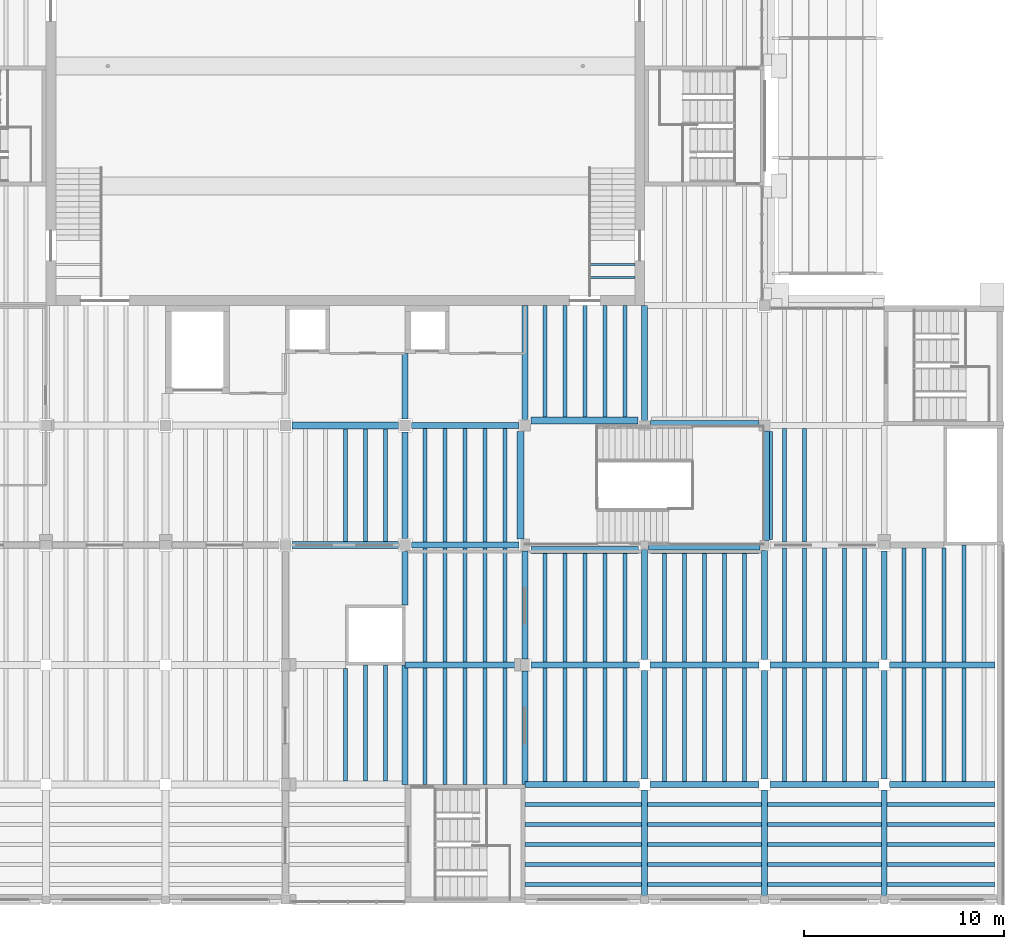
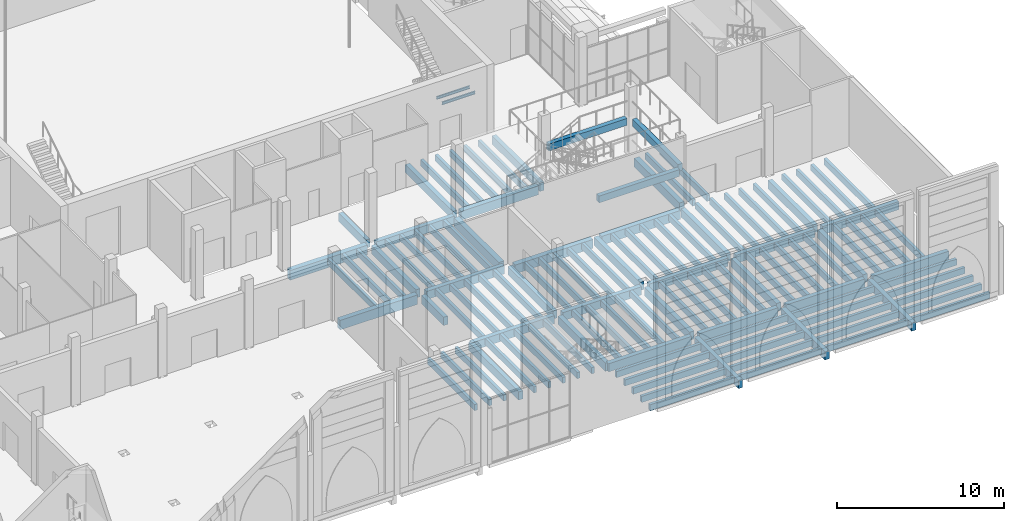
# One storey, part 5 of 80: 126 beams.
"""IFC4 building model written with IfcOpenShell, lengths in metres."""

from ifc_helpers import new_model, si_unit, direction, frame, origin, origin_2d, place, context, subcontext, project, spatial, rectangle, i_section, extrude, material, material_profile, profile_set, type_object, element, save


model = new_model("IFC4")

# Units and contexts
model_context = context("Model", 3, precision=1e-05, world=origin(), true_north=direction((0.0, 1.0)))
body_context = subcontext(model_context, "Body", "Model", "MODEL_VIEW")
ifc_project = project(units=[si_unit("LENGTHUNIT", "METRE"), si_unit("AREAUNIT", "SQUARE_METRE"), si_unit("VOLUMEUNIT", "CUBIC_METRE"), si_unit("PLANEANGLEUNIT", "RADIAN"), si_unit("MASSUNIT", "GRAM", prefix="KILO")], contexts=[model_context])

# Site, building, storey
site_placement = place(None, origin())
site = spatial("IfcSite", under=ifc_project, at=site_placement, CompositionType="ELEMENT")
building_placement = place(site_placement, origin())
building = spatial("IfcBuilding", under=site, at=building_placement, Name="Saffron Lane Theatres", CompositionType="ELEMENT")
storey_placement = place(building_placement, frame((0.0, 0.0, 7.0)))
storey = spatial("IfcBuildingStorey", under=building, at=storey_placement, Name="L01", CompositionType="ELEMENT", Elevation=7.0)

# Beams
ifc_material_1 = material(Name="Concrete N40 (40 MPa)", Category="concrete")
ifc_material_profile_1 = material_profile(ifc_material_1, rectangle(XDim=0.300048828125, YDim=0.60009765625, at=origin_2d()))
ifc_profile_set_1 = profile_set([ifc_material_profile_1], Name="Concrete N40 (40 MPa)")
beam_type_1 = type_object("IfcBeamType", Name="RC-BEAM 300x600", PredefinedType="BEAM", material=ifc_profile_set_1)
beam_1_placement = place(storey_placement, frame((42.0, 6.0, -0.550048828125), z_axis=(1.0, 0.0, 0.0), x_axis=(0.0, 1.0, 0.0)))
element("IfcBeam", 1, at=beam_1_placement, inside=storey, type_object=beam_type_1, Name="beam-L01-x60-420", PredefinedType="BEAM", context=body_context, shape_type="SweptSolid", body=[
    extrude(rectangle(XDim=0.300048828125, YDim=0.60009765625, at=origin_2d()), origin(), (0.0, 0.0, 1.0), 5.72509765625),
])
for number, where, z_axis, x_axis, name in (
    (2, (48.27490234375, 6.0, -0.550048828125), (1.0, 0.0, 0.0), (0.0, 1.0, 0.0), "beam-L01-x60-483"),
    (3, (54.27490234375, 6.0, -0.550048828125), (1.0, 0.0, 0.0), (0.0, 1.0, 0.0), "beam-L01-x60-543"),
):
    element("IfcBeam", number, at=place(storey_placement, frame(where, z_axis=z_axis, x_axis=x_axis)), inside=storey, type_object=beam_type_1, Name=name, PredefinedType="BEAM", context=body_context, shape_type="SweptSolid", body=[
        extrude(rectangle(XDim=0.300048828125, YDim=0.60009765625, at=origin_2d()), origin(), (0.0, 0.0, 1.0), 5.4501953125),
    ])
beam_2_placement = place(storey_placement, frame((60.27490234375, 6.0, -0.550048828125), z_axis=(1.0, 0.0, 0.0), x_axis=(0.0, 1.0, 0.0)))
element("IfcBeam", 4, at=beam_2_placement, inside=storey, type_object=beam_type_1, Name="beam-L01-x60-603", PredefinedType="BEAM", context=body_context, shape_type="SweptSolid", body=[
    extrude(rectangle(XDim=0.300048828125, YDim=0.60009765625, at=origin_2d()), origin(), (0.0, 0.0, 1.0), 5.26513671875),
])
beam_3_placement = place(storey_placement, frame((36.0, 12.0, -0.550048828125), z_axis=(1.0, 0.0, 0.0), x_axis=(0.0, 1.0, 0.0)))
element("IfcBeam", 5, at=beam_3_placement, inside=storey, type_object=beam_type_1, Name="beam-L01-x120-360", PredefinedType="BEAM", context=body_context, shape_type="SweptSolid", body=[
    extrude(rectangle(XDim=0.300048828125, YDim=0.60009765625, at=origin_2d()), origin(), (0.0, 0.0, 1.0), 5.699951171875),
])
beam_4_placement = place(storey_placement, frame((42.300048828125, 12.0, -0.550048828125), z_axis=(1.0, 0.0, 0.0), x_axis=(0.0, 1.0, 0.0)))
element("IfcBeam", 6, at=beam_4_placement, inside=storey, type_object=beam_type_1, Name="beam-L01-x120-423", PredefinedType="BEAM", context=body_context, shape_type="SweptSolid", body=[
    extrude(rectangle(XDim=0.300048828125, YDim=0.60009765625, at=origin_2d()), origin(), (0.0, 0.0, 1.0), 5.425048828125),
])
for number, where, z_axis, x_axis, name in (
    (7, (48.27490234375, 12.0, -0.550048828125), (1.0, 0.0, 0.0), (0.0, 1.0, 0.0), "beam-L01-x120-483"),
    (8, (54.27490234375, 12.0, -0.550048828125), (1.0, 0.0, 0.0), (0.0, 1.0, 0.0), "beam-L01-x120-543"),
):
    element("IfcBeam", number, at=place(storey_placement, frame(where, z_axis=z_axis, x_axis=x_axis)), inside=storey, type_object=beam_type_1, Name=name, PredefinedType="BEAM", context=body_context, shape_type="SweptSolid", body=[
        extrude(rectangle(XDim=0.300048828125, YDim=0.60009765625, at=origin_2d()), origin(), (0.0, 0.0, 1.0), 5.4501953125),
    ])
beam_5_placement = place(storey_placement, frame((60.27490234375, 12.0, -0.550048828125), z_axis=(1.0, 0.0, 0.0), x_axis=(0.0, 1.0, 0.0)))
element("IfcBeam", 9, at=beam_5_placement, inside=storey, type_object=beam_type_1, Name="beam-L01-x120-603", PredefinedType="BEAM", context=body_context, shape_type="SweptSolid", body=[
    extrude(rectangle(XDim=0.300048828125, YDim=0.60009765625, at=origin_2d()), origin(), (0.0, 0.0, 1.0), 5.26513671875),
])
for number, where, z_axis, x_axis, name in (
    (10, (36.324951171875, 18.0, -0.550048828125), (1.0, 0.0, 0.0), (0.0, 1.0, 0.0), "beam-L01-x180-363"),
    (11, (36.324951171875, 24.0, -0.550048828125), (1.0, 0.0, 0.0), (0.0, 1.0, 0.0), "beam-L01-x240-363"),
):
    element("IfcBeam", number, at=place(storey_placement, frame(where, z_axis=z_axis, x_axis=x_axis)), inside=storey, type_object=beam_type_1, Name=name, PredefinedType="BEAM", context=body_context, shape_type="SweptSolid", body=[
        extrude(rectangle(XDim=0.300048828125, YDim=0.60009765625, at=origin_2d()), origin(), (0.0, 0.0, 1.0), 5.375),
    ])
beam_6_placement = place(storey_placement, frame((36.0, 6.0, -0.550048828125), z_axis=(0.0, 1.0, 0.0), x_axis=(-1.0, 0.0, 0.0)))
element("IfcBeam", 12, at=beam_6_placement, inside=storey, type_object=beam_type_1, Name="beam-L01-y360-60", PredefinedType="BEAM", context=body_context, shape_type="SweptSolid", body=[
    extrude(rectangle(XDim=0.300048828125, YDim=0.60009765625, at=origin_2d()), origin(), (0.0, 0.0, 1.0), 6.0),
])
beam_7_placement = place(storey_placement, frame((36.0, 15.0, -0.550048828125), z_axis=(0.0, 1.0, 0.0), x_axis=(-1.0, 0.0, 0.0)))
element("IfcBeam", 13, at=beam_7_placement, inside=storey, type_object=beam_type_1, Name="beam-L01-y360-150", PredefinedType="BEAM", context=body_context, shape_type="SweptSolid", body=[
    extrude(rectangle(XDim=0.300048828125, YDim=0.60009765625, at=origin_2d()), origin(), (0.0, 0.0, 1.0), 2.675048828125),
])
beam_8_placement = place(storey_placement, frame((36.0, 18.324951171875, -0.550048828125), z_axis=(0.0, 1.0, 0.0), x_axis=(-1.0, 0.0, 0.0)))
element("IfcBeam", 14, at=beam_8_placement, inside=storey, type_object=beam_type_1, Name="beam-L01-y360-183", PredefinedType="BEAM", context=body_context, shape_type="SweptSolid", body=[
    extrude(rectangle(XDim=0.300048828125, YDim=0.60009765625, at=origin_2d()), origin(), (0.0, 0.0, 1.0), 5.35009765625),
])
beam_9_placement = place(storey_placement, frame((36.0, 24.324951171875, -0.550048828125), z_axis=(0.0, 1.0, 0.0), x_axis=(-1.0, 0.0, 0.0)))
element("IfcBeam", 15, at=beam_9_placement, inside=storey, type_object=beam_type_1, Name="beam-L01-y360-243", PredefinedType="BEAM", context=body_context, shape_type="SweptSolid", body=[
    extrude(rectangle(XDim=0.300048828125, YDim=0.60009765625, at=origin_2d()), origin(), (0.0, 0.0, 1.0), 3.275146484375),
])
beam_10_placement = place(storey_placement, frame((42.0, 6.0, -0.550048828125), z_axis=(0.0, 1.0, 0.0), x_axis=(-1.0, 0.0, 0.0)))
element("IfcBeam", 16, at=beam_10_placement, inside=storey, type_object=beam_type_1, Name="beam-L01-y420-60", PredefinedType="BEAM", context=body_context, shape_type="SweptSolid", body=[
    extrude(rectangle(XDim=0.300048828125, YDim=0.60009765625, at=origin_2d()), origin(), (0.0, 0.0, 1.0), 5.699951171875),
])
beam_11_placement = place(storey_placement, frame((42.0, 12.300048828125, -0.550048828125), z_axis=(0.0, 1.0, 0.0), x_axis=(-1.0, 0.0, 0.0)))
element("IfcBeam", 17, at=beam_11_placement, inside=storey, type_object=beam_type_1, Name="beam-L01-y420-123", PredefinedType="BEAM", context=body_context, shape_type="SweptSolid", body=[
    extrude(rectangle(XDim=0.300048828125, YDim=0.60009765625, at=origin_2d()), origin(), (0.0, 0.0, 1.0), 5.39990234375),
])
beam_12_placement = place(storey_placement, frame((42.0, 24.300048828125, -0.550048828125), z_axis=(0.0, 1.0, 0.0), x_axis=(-1.0, 0.0, 0.0)))
element("IfcBeam", 18, at=beam_12_placement, inside=storey, type_object=beam_type_1, Name="beam-L01-y420-243", PredefinedType="BEAM", context=body_context, shape_type="SweptSolid", body=[
    extrude(rectangle(XDim=0.300048828125, YDim=0.60009765625, at=origin_2d()), origin(), (0.0, 0.0, 1.0), 5.699951171875),
])
beam_13_placement = place(storey_placement, frame((48.0, 0.450439453125, -0.550048828125), z_axis=(0.0, 1.0, 0.0), x_axis=(-1.0, 0.0, 0.0)))
element("IfcBeam", 19, at=beam_13_placement, inside=storey, type_object=beam_type_1, Name="beam-L01-y480-5", PredefinedType="BEAM", context=body_context, shape_type="SweptSolid", body=[
    extrude(rectangle(XDim=0.300048828125, YDim=0.60009765625, at=origin_2d()), origin(), (0.0, 0.0, 1.0), 5.274658203125),
])
beam_14_placement = place(storey_placement, frame((48.0, 6.27490234375, -0.550048828125), z_axis=(0.0, 1.0, 0.0), x_axis=(-1.0, 0.0, 0.0)))
element("IfcBeam", 20, at=beam_14_placement, inside=storey, type_object=beam_type_1, Name="beam-L01-y480-63", PredefinedType="BEAM", context=body_context, shape_type="SweptSolid", body=[
    extrude(rectangle(XDim=0.300048828125, YDim=0.60009765625, at=origin_2d()), origin(), (0.0, 0.0, 1.0), 5.4501953125),
])
beam_15_placement = place(storey_placement, frame((48.0, 12.27490234375, -0.550048828125), z_axis=(0.0, 1.0, 0.0), x_axis=(-1.0, 0.0, 0.0)))
element("IfcBeam", 21, at=beam_15_placement, inside=storey, type_object=beam_type_1, Name="beam-L01-y480-123", PredefinedType="BEAM", context=body_context, shape_type="SweptSolid", body=[
    extrude(rectangle(XDim=0.300048828125, YDim=0.60009765625, at=origin_2d()), origin(), (0.0, 0.0, 1.0), 5.5),
])
beam_16_placement = place(storey_placement, frame((48.0, 24.25, -0.550048828125), z_axis=(0.0, 1.0, 0.0), x_axis=(-1.0, 0.0, 0.0)))
element("IfcBeam", 22, at=beam_16_placement, inside=storey, type_object=beam_type_1, Name="beam-L01-y480-242", PredefinedType="BEAM", context=body_context, shape_type="SweptSolid", body=[
    extrude(rectangle(XDim=0.300048828125, YDim=0.60009765625, at=origin_2d()), origin(), (0.0, 0.0, 1.0), 5.75),
])
beam_17_placement = place(storey_placement, frame((54.0, 0.450439453125, -0.550048828125), z_axis=(0.0, 1.0, 0.0), x_axis=(-1.0, 0.0, 0.0)))
element("IfcBeam", 23, at=beam_17_placement, inside=storey, type_object=beam_type_1, Name="beam-L01-y540-5", PredefinedType="BEAM", context=body_context, shape_type="SweptSolid", body=[
    extrude(rectangle(XDim=0.300048828125, YDim=0.60009765625, at=origin_2d()), origin(), (0.0, 0.0, 1.0), 5.274658203125),
])
for number, where, z_axis, x_axis, name in (
    (24, (54.0, 6.27490234375, -0.550048828125), (0.0, 1.0, 0.0), (-1.0, 0.0, 0.0), "beam-L01-y540-63"),
    (25, (54.0, 12.27490234375, -0.550048828125), (0.0, 1.0, 0.0), (-1.0, 0.0, 0.0), "beam-L01-y540-123"),
):
    element("IfcBeam", number, at=place(storey_placement, frame(where, z_axis=z_axis, x_axis=x_axis)), inside=storey, type_object=beam_type_1, Name=name, PredefinedType="BEAM", context=body_context, shape_type="SweptSolid", body=[
        extrude(rectangle(XDim=0.300048828125, YDim=0.60009765625, at=origin_2d()), origin(), (0.0, 0.0, 1.0), 5.4501953125),
    ])
beam_18_placement = place(storey_placement, frame((60.0, 0.450439453125, -0.550048828125), z_axis=(0.0, 1.0, 0.0), x_axis=(-1.0, 0.0, 0.0)))
element("IfcBeam", 26, at=beam_18_placement, inside=storey, type_object=beam_type_1, Name="beam-L01-y600-5", PredefinedType="BEAM", context=body_context, shape_type="SweptSolid", body=[
    extrude(rectangle(XDim=0.300048828125, YDim=0.60009765625, at=origin_2d()), origin(), (0.0, 0.0, 1.0), 5.274658203125),
])
beam_19_placement = place(storey_placement, frame((60.0, 6.27490234375, -0.550048828125), z_axis=(0.0, 1.0, 0.0), x_axis=(-1.0, 0.0, 0.0)))
element("IfcBeam", 27, at=beam_19_placement, inside=storey, type_object=beam_type_1, Name="beam-L01-y600-63", PredefinedType="BEAM", context=body_context, shape_type="SweptSolid", body=[
    extrude(rectangle(XDim=0.300048828125, YDim=0.60009765625, at=origin_2d()), origin(), (0.0, 0.0, 1.0), 5.4501953125),
])
beam_20_placement = place(storey_placement, frame((60.0, 12.27490234375, -0.550048828125), z_axis=(0.0, 1.0, 0.0), x_axis=(-1.0, 0.0, 0.0)))
element("IfcBeam", 28, at=beam_20_placement, inside=storey, type_object=beam_type_1, Name="beam-L01-y600-123", PredefinedType="BEAM", context=body_context, shape_type="SweptSolid", body=[
    extrude(rectangle(XDim=0.300048828125, YDim=0.60009765625, at=origin_2d()), origin(), (0.0, 0.0, 1.0), 5.425048828125),
])
ifc_material_2 = material(Name="Concrete N40 (40 MPa)", Category="concrete")
ifc_material_profile_2 = material_profile(ifc_material_2, rectangle(XDim=0.35009765625, YDim=0.64990234375, at=origin_2d()))
ifc_profile_set_2 = profile_set([ifc_material_profile_2], Name="Concrete N40 (40 MPa)")
beam_type_2 = type_object("IfcBeamType", Name="RC-BEAM 350x650", PredefinedType="BEAM", material=ifc_profile_set_2)
beam_21_placement = place(storey_placement, frame((42.300048828125, 17.764892578125, -0.574951171875), z_axis=(1.0, 0.0, 0.0), x_axis=(0.0, 1.0, 0.0)))
element("IfcBeam", 29, at=beam_21_placement, inside=storey, type_object=beam_type_2, Name="beam-L01-x180-423", PredefinedType="BEAM", context=body_context, shape_type="SweptSolid", body=[
    extrude(rectangle(XDim=0.35009765625, YDim=0.64990234375, at=origin_2d()), origin(), (0.0, 0.0, 1.0), 5.39990234375),
])
beam_22_placement = place(storey_placement, frame((48.300048828125, 17.764892578125, -0.574951171875), z_axis=(1.0, 0.0, 0.0), x_axis=(0.0, 1.0, 0.0)))
element("IfcBeam", 30, at=beam_22_placement, inside=storey, type_object=beam_type_2, Name="beam-L01-x180-483", PredefinedType="BEAM", context=body_context, shape_type="SweptSolid", body=[
    extrude(rectangle(XDim=0.35009765625, YDim=0.64990234375, at=origin_2d()), origin(), (0.0, 0.0, 1.0), 5.425048828125),
])
beam_23_placement = place(storey_placement, frame((42.300048828125, 24.235107421875, -0.574951171875), z_axis=(1.0, 0.0, 0.0), x_axis=(0.0, 1.0, 0.0)))
element("IfcBeam", 31, at=beam_23_placement, inside=storey, type_object=beam_type_2, Name="beam-L01-x240-423", PredefinedType="BEAM", context=body_context, shape_type="SweptSolid", body=[
    extrude(rectangle(XDim=0.35009765625, YDim=0.64990234375, at=origin_2d()), origin(), (0.0, 0.0, 1.0), 5.349853515625),
])
beam_24_placement = place(storey_placement, frame((41.764892578125, 18.300048828125, -0.574951171875), z_axis=(0.0, 1.0, 0.0), x_axis=(-1.0, 0.0, 0.0)))
element("IfcBeam", 32, at=beam_24_placement, inside=storey, type_object=beam_type_2, Name="beam-L01-y420-183", PredefinedType="BEAM", context=body_context, shape_type="SweptSolid", body=[
    extrude(rectangle(XDim=0.35009765625, YDim=0.64990234375, at=origin_2d()), origin(), (0.0, 0.0, 1.0), 5.39990234375),
])
beam_25_placement = place(storey_placement, frame((54.235107421875, 18.27490234375, -0.574951171875), z_axis=(0.0, 1.0, 0.0), x_axis=(-1.0, 0.0, 0.0)))
element("IfcBeam", 33, at=beam_25_placement, inside=storey, type_object=beam_type_2, Name="beam-L01-y540-183", PredefinedType="BEAM", context=body_context, shape_type="SweptSolid", body=[
    extrude(rectangle(XDim=0.35009765625, YDim=0.64990234375, at=origin_2d()), origin(), (0.0, 0.0, 1.0), 5.425048828125),
])
ifc_material_3 = material(Name="Concrete N40 (40 MPa)", Category="concrete")
ifc_material_profile_3 = material_profile(ifc_material_3, rectangle(XDim=0.35009765625, YDim=0.699951171875, at=origin_2d()))
ifc_profile_set_3 = profile_set([ifc_material_profile_3], Name="Concrete N40 (40 MPa)")
beam_type_3 = type_object("IfcBeamType", Name="RC-BEAM 350x700", PredefinedType="BEAM", material=ifc_profile_set_3)
for number, where, z_axis, x_axis, name in (
    (34, (30.324951171875, 18.0, -0.60009765625), (1.0, 0.0, 0.0), (0.0, 1.0, 0.0), "beam-L01-x180-303"),
    (35, (30.324951171875, 24.0, -0.60009765625), (1.0, 0.0, 0.0), (0.0, 1.0, 0.0), "beam-L01-x240-303"),
):
    element("IfcBeam", number, at=place(storey_placement, frame(where, z_axis=z_axis, x_axis=x_axis)), inside=storey, type_object=beam_type_3, Name=name, PredefinedType="BEAM", context=body_context, shape_type="SweptSolid", body=[
        extrude(rectangle(XDim=0.35009765625, YDim=0.699951171875, at=origin_2d()), origin(), (0.0, 0.0, 1.0), 5.35009765625),
    ])
ifc_material_4 = material(Name="Concrete N40 (40 MPa)", Category="concrete")
ifc_material_profile_4 = material_profile(ifc_material_4, rectangle(XDim=0.199951171875, YDim=0.449951171875, at=origin_2d()))
ifc_profile_set_4 = profile_set([ifc_material_profile_4], Name="Concrete N40 (40 MPa)")
beam_type_4 = type_object("IfcBeamType", Name="RC-JOIST 200x450", PredefinedType="JOIST", material=ifc_profile_set_4)
beam_26_placement = place(storey_placement, frame((33.0, 6.175048828125, -0.47509765625), z_axis=(0.0, 1.0, 0.0), x_axis=(-1.0, 0.0, 0.0)))
element("IfcBeam", 36, at=beam_26_placement, inside=storey, type_object=beam_type_4, Name="joist-L01-y3300-62", PredefinedType="JOIST", context=body_context, shape_type="SweptSolid", body=[
    extrude(rectangle(XDim=0.199951171875, YDim=0.449951171875, at=origin_2d()), origin(), (0.0, 0.0, 1.0), 5.64990234375),
])
for number, where, z_axis, x_axis, name in (
    (37, (34.0, 6.175048828125, -0.47509765625), (0.0, 1.0, 0.0), (-1.0, 0.0, 0.0), "joist-L01-y3400-62"),
    (38, (35.0, 6.175048828125, -0.47509765625), (0.0, 1.0, 0.0), (-1.0, 0.0, 0.0), "joist-L01-y3500-62"),
):
    element("IfcBeam", number, at=place(storey_placement, frame(where, z_axis=z_axis, x_axis=x_axis)), inside=storey, type_object=beam_type_4, Name=name, PredefinedType="JOIST", context=body_context, shape_type="SweptSolid", body=[
        extrude(rectangle(XDim=0.199951171875, YDim=0.449951171875, at=origin_2d()), origin(), (0.0, 0.0, 1.0), 5.824951171875),
    ])
for number, where, z_axis, x_axis, name in (
    (39, (33.0, 18.175048828125, -0.47509765625), (0.0, 1.0, 0.0), (-1.0, 0.0, 0.0), "joist-L01-y3300-182"),
    (40, (34.0, 18.175048828125, -0.47509765625), (0.0, 1.0, 0.0), (-1.0, 0.0, 0.0), "joist-L01-y3400-182"),
    (41, (35.0, 18.175048828125, -0.47509765625), (0.0, 1.0, 0.0), (-1.0, 0.0, 0.0), "joist-L01-y3500-182"),
):
    element("IfcBeam", number, at=place(storey_placement, frame(where, z_axis=z_axis, x_axis=x_axis)), inside=storey, type_object=beam_type_4, Name=name, PredefinedType="JOIST", context=body_context, shape_type="SweptSolid", body=[
        extrude(rectangle(XDim=0.199951171875, YDim=0.449951171875, at=origin_2d()), origin(), (0.0, 0.0, 1.0), 5.64990234375),
    ])
for number, where, z_axis, x_axis, name in (
    (42, (37.0, 6.0, -0.47509765625), (0.0, 1.0, 0.0), (-1.0, 0.0, 0.0), "joist-L01-y3700-60"),
    (43, (38.0, 6.0, -0.47509765625), (0.0, 1.0, 0.0), (-1.0, 0.0, 0.0), "joist-L01-y3800-60"),
    (44, (39.0, 6.0, -0.47509765625), (0.0, 1.0, 0.0), (-1.0, 0.0, 0.0), "joist-L01-y3900-60"),
    (45, (40.0, 6.0, -0.47509765625), (0.0, 1.0, 0.0), (-1.0, 0.0, 0.0), "joist-L01-y4000-60"),
    (46, (41.0, 6.0, -0.47509765625), (0.0, 1.0, 0.0), (-1.0, 0.0, 0.0), "joist-L01-y4100-60"),
):
    element("IfcBeam", number, at=place(storey_placement, frame(where, z_axis=z_axis, x_axis=x_axis)), inside=storey, type_object=beam_type_4, Name=name, PredefinedType="JOIST", context=body_context, shape_type="SweptSolid", body=[
        extrude(rectangle(XDim=0.199951171875, YDim=0.449951171875, at=origin_2d()), origin(), (0.0, 0.0, 1.0), 5.85009765625),
    ])
for number, where, z_axis, x_axis, name in (
    (47, (37.0, 12.14990234375, -0.47509765625), (0.0, 1.0, 0.0), (-1.0, 0.0, 0.0), "joist-L01-y3700-122"),
    (48, (38.0, 12.14990234375, -0.47509765625), (0.0, 1.0, 0.0), (-1.0, 0.0, 0.0), "joist-L01-y3800-122"),
    (49, (39.0, 12.14990234375, -0.47509765625), (0.0, 1.0, 0.0), (-1.0, 0.0, 0.0), "joist-L01-y3900-122"),
    (50, (40.0, 12.14990234375, -0.47509765625), (0.0, 1.0, 0.0), (-1.0, 0.0, 0.0), "joist-L01-y4000-122"),
    (51, (41.0, 12.14990234375, -0.47509765625), (0.0, 1.0, 0.0), (-1.0, 0.0, 0.0), "joist-L01-y4100-122"),
    (52, (37.0, 18.14990234375, -0.47509765625), (0.0, 1.0, 0.0), (-1.0, 0.0, 0.0), "joist-L01-y3700-182"),
    (53, (38.0, 18.14990234375, -0.47509765625), (0.0, 1.0, 0.0), (-1.0, 0.0, 0.0), "joist-L01-y3800-182"),
    (54, (39.0, 18.14990234375, -0.47509765625), (0.0, 1.0, 0.0), (-1.0, 0.0, 0.0), "joist-L01-y3900-182"),
    (55, (40.0, 18.14990234375, -0.47509765625), (0.0, 1.0, 0.0), (-1.0, 0.0, 0.0), "joist-L01-y4000-182"),
    (56, (41.0, 18.14990234375, -0.47509765625), (0.0, 1.0, 0.0), (-1.0, 0.0, 0.0), "joist-L01-y4100-182"),
):
    element("IfcBeam", number, at=place(storey_placement, frame(where, z_axis=z_axis, x_axis=x_axis)), inside=storey, type_object=beam_type_4, Name=name, PredefinedType="JOIST", context=body_context, shape_type="SweptSolid", body=[
        extrude(rectangle(XDim=0.199951171875, YDim=0.449951171875, at=origin_2d()), origin(), (0.0, 0.0, 1.0), 5.7001953125),
    ])
for number, where, z_axis, x_axis, name in (
    (57, (42.0, 1.0, -0.47509765625), (1.0, 0.0, 0.0), (0.0, 1.0, 0.0), "joist-L01-x100-420"),
    (58, (42.0, 2.0, -0.47509765625), (1.0, 0.0, 0.0), (0.0, 1.0, 0.0), "joist-L01-x200-420"),
    (59, (42.0, 3.0, -0.47509765625), (1.0, 0.0, 0.0), (0.0, 1.0, 0.0), "joist-L01-x300-420"),
    (60, (42.0, 4.0, -0.47509765625), (1.0, 0.0, 0.0), (0.0, 1.0, 0.0), "joist-L01-x400-420"),
    (61, (42.0, 5.0, -0.47509765625), (1.0, 0.0, 0.0), (0.0, 1.0, 0.0), "joist-L01-x500-420"),
):
    element("IfcBeam", number, at=place(storey_placement, frame(where, z_axis=z_axis, x_axis=x_axis)), inside=storey, type_object=beam_type_4, Name=name, PredefinedType="JOIST", context=body_context, shape_type="SweptSolid", body=[
        extrude(rectangle(XDim=0.199951171875, YDim=0.449951171875, at=origin_2d()), origin(), (0.0, 0.0, 1.0), 5.85009765625),
    ])
for number, where, z_axis, x_axis, name in (
    (62, (43.0, 6.14990234375, -0.47509765625), (0.0, 1.0, 0.0), (-1.0, 0.0, 0.0), "joist-L01-y4300-62"),
    (63, (44.0, 6.14990234375, -0.47509765625), (0.0, 1.0, 0.0), (-1.0, 0.0, 0.0), "joist-L01-y4400-62"),
    (64, (45.0, 6.14990234375, -0.47509765625), (0.0, 1.0, 0.0), (-1.0, 0.0, 0.0), "joist-L01-y4500-62"),
    (65, (46.0, 6.14990234375, -0.47509765625), (0.0, 1.0, 0.0), (-1.0, 0.0, 0.0), "joist-L01-y4600-62"),
    (66, (47.0, 6.14990234375, -0.47509765625), (0.0, 1.0, 0.0), (-1.0, 0.0, 0.0), "joist-L01-y4700-62"),
):
    element("IfcBeam", number, at=place(storey_placement, frame(where, z_axis=z_axis, x_axis=x_axis)), inside=storey, type_object=beam_type_4, Name=name, PredefinedType="JOIST", context=body_context, shape_type="SweptSolid", body=[
        extrude(rectangle(XDim=0.199951171875, YDim=0.449951171875, at=origin_2d()), origin(), (0.0, 0.0, 1.0), 5.7001953125),
    ])
for number, where, z_axis, x_axis, name in (
    (67, (43.0, 12.14990234375, -0.47509765625), (0.0, 1.0, 0.0), (-1.0, 0.0, 0.0), "joist-L01-y4300-122"),
    (68, (44.0, 12.14990234375, -0.47509765625), (0.0, 1.0, 0.0), (-1.0, 0.0, 0.0), "joist-L01-y4400-122"),
    (69, (45.0, 12.14990234375, -0.47509765625), (0.0, 1.0, 0.0), (-1.0, 0.0, 0.0), "joist-L01-y4500-122"),
    (70, (46.0, 12.14990234375, -0.47509765625), (0.0, 1.0, 0.0), (-1.0, 0.0, 0.0), "joist-L01-y4600-122"),
    (71, (47.0, 12.14990234375, -0.47509765625), (0.0, 1.0, 0.0), (-1.0, 0.0, 0.0), "joist-L01-y4700-122"),
):
    element("IfcBeam", number, at=place(storey_placement, frame(where, z_axis=z_axis, x_axis=x_axis)), inside=storey, type_object=beam_type_4, Name=name, PredefinedType="JOIST", context=body_context, shape_type="SweptSolid", body=[
        extrude(rectangle(XDim=0.199951171875, YDim=0.449951171875, at=origin_2d()), origin(), (0.0, 0.0, 1.0), 5.440185546875),
    ])
for number, where, z_axis, x_axis, name in (
    (72, (43.0, 24.409912109375, -0.47509765625), (0.0, 1.0, 0.0), (-1.0, 0.0, 0.0), "joist-L01-y4300-244"),
    (73, (44.0, 24.409912109375, -0.47509765625), (0.0, 1.0, 0.0), (-1.0, 0.0, 0.0), "joist-L01-y4400-244"),
    (74, (45.0, 24.409912109375, -0.47509765625), (0.0, 1.0, 0.0), (-1.0, 0.0, 0.0), "joist-L01-y4500-244"),
    (75, (46.0, 24.409912109375, -0.47509765625), (0.0, 1.0, 0.0), (-1.0, 0.0, 0.0), "joist-L01-y4600-244"),
    (76, (47.0, 24.409912109375, -0.47509765625), (0.0, 1.0, 0.0), (-1.0, 0.0, 0.0), "joist-L01-y4700-244"),
):
    element("IfcBeam", number, at=place(storey_placement, frame(where, z_axis=z_axis, x_axis=x_axis)), inside=storey, type_object=beam_type_4, Name=name, PredefinedType="JOIST", context=body_context, shape_type="SweptSolid", body=[
        extrude(rectangle(XDim=0.199951171875, YDim=0.449951171875, at=origin_2d()), origin(), (0.0, 0.0, 1.0), 5.590087890625),
    ])
for number, where, z_axis, x_axis, name in (
    (77, (48.14990234375, 1.0, -0.47509765625), (1.0, 0.0, 0.0), (0.0, 1.0, 0.0), "joist-L01-x100-482"),
    (78, (48.14990234375, 2.0, -0.47509765625), (1.0, 0.0, 0.0), (0.0, 1.0, 0.0), "joist-L01-x200-482"),
    (79, (48.14990234375, 3.0, -0.47509765625), (1.0, 0.0, 0.0), (0.0, 1.0, 0.0), "joist-L01-x300-482"),
    (80, (48.14990234375, 4.0, -0.47509765625), (1.0, 0.0, 0.0), (0.0, 1.0, 0.0), "joist-L01-x400-482"),
    (81, (48.14990234375, 5.0, -0.47509765625), (1.0, 0.0, 0.0), (0.0, 1.0, 0.0), "joist-L01-x500-482"),
    (82, (49.0, 6.14990234375, -0.47509765625), (0.0, 1.0, 0.0), (-1.0, 0.0, 0.0), "joist-L01-y4900-62"),
    (83, (50.0, 6.14990234375, -0.47509765625), (0.0, 1.0, 0.0), (-1.0, 0.0, 0.0), "joist-L01-y5000-62"),
    (84, (51.0, 6.14990234375, -0.47509765625), (0.0, 1.0, 0.0), (-1.0, 0.0, 0.0), "joist-L01-y5100-62"),
    (85, (52.0, 6.14990234375, -0.47509765625), (0.0, 1.0, 0.0), (-1.0, 0.0, 0.0), "joist-L01-y5200-62"),
    (86, (53.0, 6.14990234375, -0.47509765625), (0.0, 1.0, 0.0), (-1.0, 0.0, 0.0), "joist-L01-y5300-62"),
):
    element("IfcBeam", number, at=place(storey_placement, frame(where, z_axis=z_axis, x_axis=x_axis)), inside=storey, type_object=beam_type_4, Name=name, PredefinedType="JOIST", context=body_context, shape_type="SweptSolid", body=[
        extrude(rectangle(XDim=0.199951171875, YDim=0.449951171875, at=origin_2d()), origin(), (0.0, 0.0, 1.0), 5.7001953125),
    ])
for number, where, z_axis, x_axis, name in (
    (87, (49.0, 12.14990234375, -0.47509765625), (0.0, 1.0, 0.0), (-1.0, 0.0, 0.0), "joist-L01-y4900-122"),
    (88, (50.0, 12.14990234375, -0.47509765625), (0.0, 1.0, 0.0), (-1.0, 0.0, 0.0), "joist-L01-y5000-122"),
    (89, (51.0, 12.14990234375, -0.47509765625), (0.0, 1.0, 0.0), (-1.0, 0.0, 0.0), "joist-L01-y5100-122"),
    (90, (52.0, 12.14990234375, -0.47509765625), (0.0, 1.0, 0.0), (-1.0, 0.0, 0.0), "joist-L01-y5200-122"),
    (91, (53.0, 12.14990234375, -0.47509765625), (0.0, 1.0, 0.0), (-1.0, 0.0, 0.0), "joist-L01-y5300-122"),
):
    element("IfcBeam", number, at=place(storey_placement, frame(where, z_axis=z_axis, x_axis=x_axis)), inside=storey, type_object=beam_type_4, Name=name, PredefinedType="JOIST", context=body_context, shape_type="SweptSolid", body=[
        extrude(rectangle(XDim=0.199951171875, YDim=0.449951171875, at=origin_2d()), origin(), (0.0, 0.0, 1.0), 5.440185546875),
    ])
for number, where, z_axis, x_axis, name in (
    (92, (54.14990234375, 1.0, -0.47509765625), (1.0, 0.0, 0.0), (0.0, 1.0, 0.0), "joist-L01-x100-542"),
    (93, (54.14990234375, 2.0, -0.47509765625), (1.0, 0.0, 0.0), (0.0, 1.0, 0.0), "joist-L01-x200-542"),
    (94, (54.14990234375, 3.0, -0.47509765625), (1.0, 0.0, 0.0), (0.0, 1.0, 0.0), "joist-L01-x300-542"),
    (95, (54.14990234375, 4.0, -0.47509765625), (1.0, 0.0, 0.0), (0.0, 1.0, 0.0), "joist-L01-x400-542"),
    (96, (54.14990234375, 5.0, -0.47509765625), (1.0, 0.0, 0.0), (0.0, 1.0, 0.0), "joist-L01-x500-542"),
    (97, (55.0, 6.14990234375, -0.47509765625), (0.0, 1.0, 0.0), (-1.0, 0.0, 0.0), "joist-L01-y5500-62"),
    (98, (56.0, 6.14990234375, -0.47509765625), (0.0, 1.0, 0.0), (-1.0, 0.0, 0.0), "joist-L01-y5600-62"),
    (99, (57.0, 6.14990234375, -0.47509765625), (0.0, 1.0, 0.0), (-1.0, 0.0, 0.0), "joist-L01-y5700-62"),
    (100, (58.0, 6.14990234375, -0.47509765625), (0.0, 1.0, 0.0), (-1.0, 0.0, 0.0), "joist-L01-y5800-62"),
    (101, (59.0, 6.14990234375, -0.47509765625), (0.0, 1.0, 0.0), (-1.0, 0.0, 0.0), "joist-L01-y5900-62"),
    (102, (55.0, 12.14990234375, -0.47509765625), (0.0, 1.0, 0.0), (-1.0, 0.0, 0.0), "joist-L01-y5500-122"),
    (103, (56.0, 12.14990234375, -0.47509765625), (0.0, 1.0, 0.0), (-1.0, 0.0, 0.0), "joist-L01-y5600-122"),
    (104, (57.0, 12.14990234375, -0.47509765625), (0.0, 1.0, 0.0), (-1.0, 0.0, 0.0), "joist-L01-y5700-122"),
    (105, (58.0, 12.14990234375, -0.47509765625), (0.0, 1.0, 0.0), (-1.0, 0.0, 0.0), "joist-L01-y5800-122"),
    (106, (59.0, 12.14990234375, -0.47509765625), (0.0, 1.0, 0.0), (-1.0, 0.0, 0.0), "joist-L01-y5900-122"),
    (107, (55.0, 18.14990234375, -0.47509765625), (0.0, 1.0, 0.0), (-1.0, 0.0, 0.0), "joist-L01-y5500-182"),
    (108, (56.0, 18.14990234375, -0.47509765625), (0.0, 1.0, 0.0), (-1.0, 0.0, 0.0), "joist-L01-y5600-182"),
):
    element("IfcBeam", number, at=place(storey_placement, frame(where, z_axis=z_axis, x_axis=x_axis)), inside=storey, type_object=beam_type_4, Name=name, PredefinedType="JOIST", context=body_context, shape_type="SweptSolid", body=[
        extrude(rectangle(XDim=0.199951171875, YDim=0.449951171875, at=origin_2d()), origin(), (0.0, 0.0, 1.0), 5.7001953125),
    ])
for number, where, z_axis, x_axis, name in (
    (109, (60.14990234375, 1.0, -0.47509765625), (1.0, 0.0, 0.0), (0.0, 1.0, 0.0), "joist-L01-x100-602"),
    (110, (60.14990234375, 2.0, -0.47509765625), (1.0, 0.0, 0.0), (0.0, 1.0, 0.0), "joist-L01-x200-602"),
    (111, (60.14990234375, 3.0, -0.47509765625), (1.0, 0.0, 0.0), (0.0, 1.0, 0.0), "joist-L01-x300-602"),
    (112, (60.14990234375, 4.0, -0.47509765625), (1.0, 0.0, 0.0), (0.0, 1.0, 0.0), "joist-L01-x400-602"),
    (113, (60.14990234375, 5.0, -0.47509765625), (1.0, 0.0, 0.0), (0.0, 1.0, 0.0), "joist-L01-x500-602"),
):
    element("IfcBeam", number, at=place(storey_placement, frame(where, z_axis=z_axis, x_axis=x_axis)), inside=storey, type_object=beam_type_4, Name=name, PredefinedType="JOIST", context=body_context, shape_type="SweptSolid", body=[
        extrude(rectangle(XDim=0.199951171875, YDim=0.449951171875, at=origin_2d()), origin(), (0.0, 0.0, 1.0), 5.39013671875),
    ])
for number, where, z_axis, x_axis, name in (
    (114, (61.0, 6.14990234375, -0.47509765625), (0.0, 1.0, 0.0), (-1.0, 0.0, 0.0), "joist-L01-y6100-62"),
    (115, (62.0, 6.14990234375, -0.47509765625), (0.0, 1.0, 0.0), (-1.0, 0.0, 0.0), "joist-L01-y6200-62"),
    (116, (63.0, 6.14990234375, -0.47509765625), (0.0, 1.0, 0.0), (-1.0, 0.0, 0.0), "joist-L01-y6300-62"),
    (117, (64.0, 6.14990234375, -0.47509765625), (0.0, 1.0, 0.0), (-1.0, 0.0, 0.0), "joist-L01-y6400-62"),
    (118, (61.0, 12.14990234375, -0.47509765625), (0.0, 1.0, 0.0), (-1.0, 0.0, 0.0), "joist-L01-y6100-122"),
    (119, (62.0, 12.14990234375, -0.47509765625), (0.0, 1.0, 0.0), (-1.0, 0.0, 0.0), "joist-L01-y6200-122"),
    (120, (63.0, 12.14990234375, -0.47509765625), (0.0, 1.0, 0.0), (-1.0, 0.0, 0.0), "joist-L01-y6300-122"),
):
    element("IfcBeam", number, at=place(storey_placement, frame(where, z_axis=z_axis, x_axis=x_axis)), inside=storey, type_object=beam_type_4, Name=name, PredefinedType="JOIST", context=body_context, shape_type="SweptSolid", body=[
        extrude(rectangle(XDim=0.199951171875, YDim=0.449951171875, at=origin_2d()), origin(), (0.0, 0.0, 1.0), 5.7001953125),
    ])
beam_27_placement = place(storey_placement, frame((64.0, 12.14990234375, -0.47509765625), z_axis=(0.0, 1.0, 0.0), x_axis=(-1.0, 0.0, 0.0)))
element("IfcBeam", 121, at=beam_27_placement, inside=storey, type_object=beam_type_4, Name="joist-L01-y6400-122", PredefinedType="JOIST", context=body_context, shape_type="SweptSolid", body=[
    extrude(rectangle(XDim=0.199951171875, YDim=0.449951171875, at=origin_2d()), origin(), (0.0, 0.0, 1.0), 5.85009765625),
])
ifc_material_5 = material(Name="Steel Grade 350", Category="steel")
ifc_material_profile_5 = material_profile(ifc_material_5, i_section(OverallWidth=0.09912109375, OverallDepth=0.197998046875, WebThickness=0.00439453125, FlangeThickness=0.007080078125, FilletRadius=0.010986328125, at=origin_2d()))
ifc_profile_set_5 = profile_set([ifc_material_profile_5], Name="Steel Grade 350")
beam_type_5 = type_object("IfcBeamType", Name="ST-GALLERY BEAM 200UB18.2", PredefinedType="BEAM", material=ifc_profile_set_5)
for number, where, z_axis, x_axis, name in (
    (122, (45.199951171875, 31.39990234375, 2.200927734375), (1.0, 0.0, 0.0), (0.0, 1.0, 0.0), "FLE9.5-1"),
    (123, (45.199951171875, 32.050048828125, 2.200927734375), (1.0, 0.0, 0.0), (0.0, 1.0, 0.0), "FLE9.5-2"),
):
    element("IfcBeam", number, at=place(storey_placement, frame(where, z_axis=z_axis, x_axis=x_axis)), inside=storey, type_object=beam_type_5, Name=name, PredefinedType="BEAM", context=body_context, shape_type="SweptSolid", body=[
        extrude(i_section(OverallWidth=0.09912109375, OverallDepth=0.197998046875, WebThickness=0.00439453125, FlangeThickness=0.007080078125, FilletRadius=0.010986328125, at=origin_2d()), origin(), (0.0, 0.0, 1.0), 2.300048828125),
    ])
ifc_material_6 = material(Name="Concrete N40 (40 MPa)", Category="concrete")
ifc_material_profile_6 = material_profile(ifc_material_6, rectangle(XDim=0.300048828125, YDim=0.5, at=origin_2d()))
ifc_profile_set_6 = profile_set([ifc_material_profile_6], Name="Concrete N40 (40 MPa)")
beam_type_6 = type_object("IfcBeamType", Name="VC-LANDING BEAM 300x500", PredefinedType="BEAM", material=ifc_profile_set_6)
beam_28_placement = place(storey_placement, frame((54.10009765625, 18.22509765625, 2.38330078125), z_axis=(0.0, 1.0, 0.0), x_axis=(-1.0, 0.0, 0.0)))
element("IfcBeam", 124, at=beam_28_placement, inside=storey, type_object=beam_type_6, Name="Landing beam 19", PredefinedType="BEAM", context=body_context, shape_type="SweptSolid", body=[
    extrude(rectangle(XDim=0.300048828125, YDim=0.5, at=origin_2d()), origin(), (0.0, 0.0, 1.0), 5.5),
])
beam_29_placement = place(storey_placement, frame((48.199951171875, 17.89990234375, 2.38330078125), z_axis=(1.0, 0.0, 0.0), x_axis=(0.0, 1.0, 0.0)))
element("IfcBeam", 125, at=beam_29_placement, inside=storey, type_object=beam_type_6, Name="Landing beam 20", PredefinedType="BEAM", context=body_context, shape_type="SweptSolid", body=[
    extrude(rectangle(XDim=0.300048828125, YDim=0.5, at=origin_2d()), origin(), (0.0, 0.0, 1.0), 5.574951171875),
])
beam_30_placement = place(storey_placement, frame((48.300048828125, 24.10009765625, 2.38330078125), z_axis=(1.0, 0.0, 0.0), x_axis=(0.0, 1.0, 0.0)))
element("IfcBeam", 126, at=beam_30_placement, inside=storey, type_object=beam_type_6, Name="Landing beam 21", PredefinedType="BEAM", context=body_context, shape_type="SweptSolid", body=[
    extrude(rectangle(XDim=0.300048828125, YDim=0.5, at=origin_2d()), origin(), (0.0, 0.0, 1.0), 5.425048828125),
])

save(model, "model.ifc")
